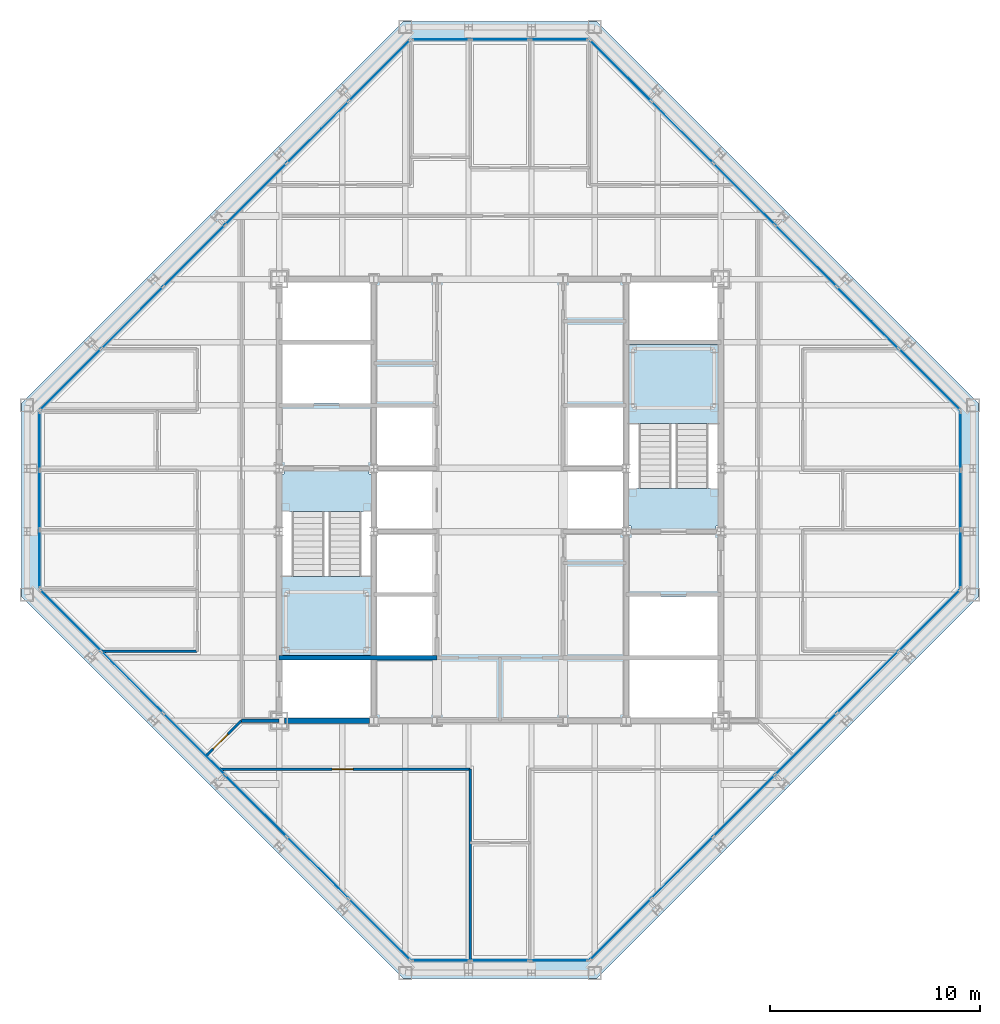
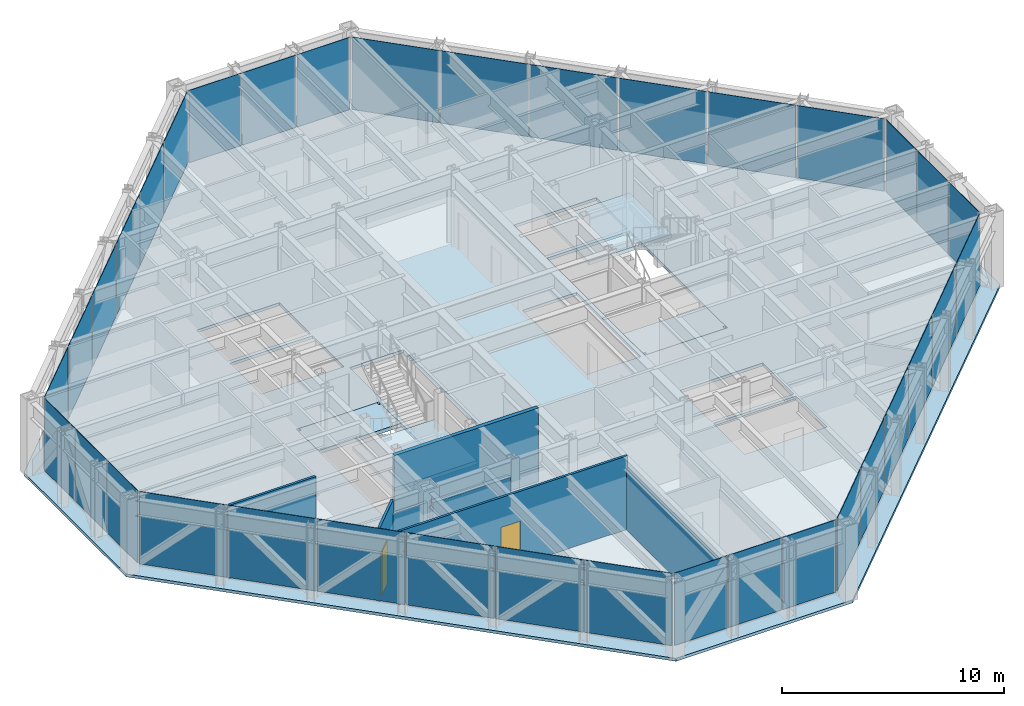
# One storey, part 9 of 15: 36 plates, 7 walls, 5 slabs, 2 doors, 2 openings, 10 elements without a shape of their own.
"""IFC4 building model written with IfcOpenShell, lengths in metres."""

from ifc_helpers import new_model, si_unit, direction, frame, frame_2d, origin, origin_2d, place, context, subcontext, project, spatial, polyline, rectangle, outline, extrude, material, layer, layer_set, type_object, element, fill, aggregate, save


model = new_model("IFC4")

# Units and contexts
model_context = context("Model", 3, precision=1e-05, world=origin(), true_north=direction((0.0, 1.0)))
body_context = subcontext(model_context, "Body", "Model", "MODEL_VIEW")
ifc_project = project(units=[si_unit("LENGTHUNIT", "METRE"), si_unit("AREAUNIT", "SQUARE_METRE"), si_unit("VOLUMEUNIT", "CUBIC_METRE"), si_unit("PLANEANGLEUNIT", "RADIAN"), si_unit("MASSUNIT", "GRAM", prefix="KILO")], contexts=[model_context])

# Site, building, storey
site_placement = place(None, origin())
site = spatial("IfcSite", under=ifc_project, at=site_placement, CompositionType="ELEMENT")
building_placement = place(site_placement, origin())
building = spatial("IfcBuilding", under=site, at=building_placement, Name="Chuquiago Exchange Tower", CompositionType="ELEMENT")
storey_placement = place(building_placement, frame((0.0, 0.0, 283.199951171875)))
storey = spatial("IfcBuildingStorey", under=building, at=storey_placement, Name="L63", CompositionType="ELEMENT", Elevation=283.199951171875)

# Curtain wall, plate
ifc_material_1 = material(Name="Aluminium curtain wall system", Category="aluminium")
ifc_layer_1 = layer(ifc_material_1, 0.22509765625)
ifc_layer_set_1 = layer_set([ifc_layer_1], Name="CW2 office curtain wall")
curtain_wall_type_1 = type_object("IfcCurtainWallType", Name="CW2 office curtain wall", PredefinedType="NOTDEFINED", material=ifc_layer_set_1)
curtain_wall_1_placement = place(storey_placement, origin())
curtain_wall_1 = element("IfcCurtainWall", 1, at=curtain_wall_1_placement, inside=storey, type_object=curtain_wall_type_1, Name="CW2 curtain wall L63", PredefinedType="NOTDEFINED")
ifc_material_2 = material(Name="Glass, insulating unit", Category="glass")
ifc_layer_2 = layer(ifc_material_2, 0.030029296875)
ifc_layer_set_2 = layer_set([ifc_layer_2], Name="CW2-P panel 30")
plate_type_1 = type_object("IfcPlateType", Name="CW2-P panel 30", PredefinedType="CURTAIN_PANEL", material=ifc_layer_set_2)
plate_1_placement = place(storey_placement, frame((25.318115234375, 0.60009765625, 0.06494140625), z_axis=(0.0, 0.0, 1.0), x_axis=(1.0, 0.0, 0.0)))
plate_1 = element("IfcPlate", 2, at=plate_1_placement, type_object=plate_type_1, Name="CW2 panel 3.1", PredefinedType="CURTAIN_PANEL", context=body_context, shape_type="SweptSolid", body=[
    extrude(rectangle(XDim=2.73681640625, YDim=0.030029296875, at=origin_2d()), origin(), (0.0, 0.0, 1.0), 3.97509765625),
])

curtain_wall_2_placement = place(storey_placement, origin())
curtain_wall_2 = element("IfcCurtainWall", 3, at=curtain_wall_2_placement, inside=storey, type_object=curtain_wall_type_1, Name="CW2 curtain wall L63", PredefinedType="NOTDEFINED")
plate_2_placement = place(storey_placement, frame((44.39990234375, 25.318115234375, 0.06494140625), z_axis=(0.0, 0.0, 1.0), x_axis=(0.0, 1.0, 0.0)))
plate_2 = element("IfcPlate", 4, at=plate_2_placement, type_object=plate_type_1, Name="CW2 panel 3.1", PredefinedType="CURTAIN_PANEL", context=body_context, shape_type="SweptSolid", body=[
    extrude(rectangle(XDim=2.73681640625, YDim=0.030029296875, at=origin_2d()), origin(), (0.0, 0.0, 1.0), 3.97509765625),
])

curtain_wall_3_placement = place(storey_placement, origin())
curtain_wall_3 = element("IfcCurtainWall", 5, at=curtain_wall_3_placement, inside=storey, type_object=curtain_wall_type_1, Name="CW2 curtain wall L63", PredefinedType="NOTDEFINED")
plate_3_placement = place(storey_placement, frame((19.681884765625, 44.39990234375, 0.06494140625), z_axis=(0.0, 0.0, 1.0), x_axis=(-1.0, 0.0, 0.0)))
plate_3 = element("IfcPlate", 6, at=plate_3_placement, type_object=plate_type_1, Name="CW2 panel 3.1", PredefinedType="CURTAIN_PANEL", context=body_context, shape_type="SweptSolid", body=[
    extrude(rectangle(XDim=2.73681640625, YDim=0.030029296875, at=origin_2d()), origin(), (0.0, 0.0, 1.0), 3.97509765625),
])

curtain_wall_4_placement = place(storey_placement, origin())
curtain_wall_4 = element("IfcCurtainWall", 7, at=curtain_wall_4_placement, inside=storey, type_object=curtain_wall_type_1, Name="CW2 curtain wall L63", PredefinedType="NOTDEFINED")
plate_4_placement = place(storey_placement, frame((0.60009765625, 19.681884765625, 0.06494140625), z_axis=(0.0, 0.0, 1.0), x_axis=(0.0, -1.0, 0.0)))
plate_4 = element("IfcPlate", 8, at=plate_4_placement, type_object=plate_type_1, Name="CW2 panel 3.1", PredefinedType="CURTAIN_PANEL", context=body_context, shape_type="SweptSolid", body=[
    extrude(rectangle(XDim=2.73681640625, YDim=0.030029296875, at=origin_2d()), origin(), (0.0, 0.0, 1.0), 3.97509765625),
])

# Plate
ifc_material_3 = material(Name="Insulated spandrel panel, pale anodised aluminium", Category="aluminium")
ifc_layer_3 = layer(ifc_material_3, 0.030029296875)
ifc_layer_set_3 = layer_set([ifc_layer_3], Name="CW2-P spandrel panel 30")
plate_type_2 = type_object("IfcPlateType", Name="CW2-P spandrel panel 30", PredefinedType="CURTAIN_PANEL", material=ifc_layer_set_3)
plate_5_placement = place(storey_placement, frame((19.681884765625, 0.60009765625, 0.06494140625), z_axis=(0.0, 0.0, 1.0), x_axis=(1.0, 0.0, 0.0)))
plate_5 = element("IfcPlate", 9, at=plate_5_placement, type_object=plate_type_2, Name="CW2 panel 1.1", PredefinedType="CURTAIN_PANEL", context=body_context, shape_type="SweptSolid", body=[
    extrude(rectangle(XDim=2.73681640625, YDim=0.030029296875, at=origin_2d()), origin(), (0.0, 0.0, 1.0), 3.97509765625),
])

plate_6_placement = place(storey_placement, frame((22.5, 0.60009765625, 0.06494140625), z_axis=(0.0, 0.0, 1.0), x_axis=(1.0, 0.0, 0.0)))
plate_6 = element("IfcPlate", 10, at=plate_6_placement, type_object=plate_type_2, Name="CW2 panel 2.1", PredefinedType="CURTAIN_PANEL", context=body_context, shape_type="SweptSolid", body=[
    extrude(rectangle(XDim=2.769287109375, YDim=0.030029296875, at=origin_2d()), origin(), (0.0, 0.0, 1.0), 3.97509765625),
])

aggregate(curtain_wall_1, [plate_5, plate_6, plate_1])

plate_7_placement = place(storey_placement, frame((44.39990234375, 19.681884765625, 0.06494140625), z_axis=(0.0, 0.0, 1.0), x_axis=(0.0, 1.0, 0.0)))
plate_7 = element("IfcPlate", 11, at=plate_7_placement, type_object=plate_type_2, Name="CW2 panel 1.1", PredefinedType="CURTAIN_PANEL", context=body_context, shape_type="SweptSolid", body=[
    extrude(rectangle(XDim=2.73681640625, YDim=0.030029296875, at=origin_2d()), origin(), (0.0, 0.0, 1.0), 3.97509765625),
])

plate_8_placement = place(storey_placement, frame((44.39990234375, 22.5, 0.06494140625), z_axis=(0.0, 0.0, 1.0), x_axis=(0.0, 1.0, 0.0)))
plate_8 = element("IfcPlate", 12, at=plate_8_placement, type_object=plate_type_2, Name="CW2 panel 2.1", PredefinedType="CURTAIN_PANEL", context=body_context, shape_type="SweptSolid", body=[
    extrude(rectangle(XDim=2.769287109375, YDim=0.030029296875, at=origin_2d()), origin(), (0.0, 0.0, 1.0), 3.97509765625),
])

aggregate(curtain_wall_2, [plate_7, plate_8, plate_2])

plate_9_placement = place(storey_placement, frame((25.318115234375, 44.39990234375, 0.06494140625), z_axis=(0.0, 0.0, 1.0), x_axis=(-1.0, 0.0, 0.0)))
plate_9 = element("IfcPlate", 13, at=plate_9_placement, type_object=plate_type_2, Name="CW2 panel 1.1", PredefinedType="CURTAIN_PANEL", context=body_context, shape_type="SweptSolid", body=[
    extrude(rectangle(XDim=2.73681640625, YDim=0.030029296875, at=origin_2d()), origin(), (0.0, 0.0, 1.0), 3.97509765625),
])

plate_10_placement = place(storey_placement, frame((22.5, 44.39990234375, 0.06494140625), z_axis=(0.0, 0.0, 1.0), x_axis=(-1.0, 0.0, 0.0)))
plate_10 = element("IfcPlate", 14, at=plate_10_placement, type_object=plate_type_2, Name="CW2 panel 2.1", PredefinedType="CURTAIN_PANEL", context=body_context, shape_type="SweptSolid", body=[
    extrude(rectangle(XDim=2.769287109375, YDim=0.030029296875, at=origin_2d()), origin(), (0.0, 0.0, 1.0), 3.97509765625),
])

aggregate(curtain_wall_3, [plate_9, plate_10, plate_3])

plate_11_placement = place(storey_placement, frame((0.60009765625, 25.318115234375, 0.06494140625), z_axis=(0.0, 0.0, 1.0), x_axis=(0.0, -1.0, 0.0)))
plate_11 = element("IfcPlate", 15, at=plate_11_placement, type_object=plate_type_2, Name="CW2 panel 1.1", PredefinedType="CURTAIN_PANEL", context=body_context, shape_type="SweptSolid", body=[
    extrude(rectangle(XDim=2.73681640625, YDim=0.030029296875, at=origin_2d()), origin(), (0.0, 0.0, 1.0), 3.97509765625),
])

plate_12_placement = place(storey_placement, frame((0.60009765625, 22.5, 0.06494140625), z_axis=(0.0, 0.0, 1.0), x_axis=(0.0, -1.0, 0.0)))
plate_12 = element("IfcPlate", 16, at=plate_12_placement, type_object=plate_type_2, Name="CW2 panel 2.1", PredefinedType="CURTAIN_PANEL", context=body_context, shape_type="SweptSolid", body=[
    extrude(rectangle(XDim=2.769287109375, YDim=0.030029296875, at=origin_2d()), origin(), (0.0, 0.0, 1.0), 3.97509765625),
])

aggregate(curtain_wall_4, [plate_11, plate_12, plate_4])

# Curtain wall, plates
ifc_material_4 = material(Name="Aluminium curtain wall system", Category="aluminium")
ifc_layer_4 = layer(ifc_material_4, 0.199951171875)
ifc_layer_set_4 = layer_set([ifc_layer_4], Name="CW3 facet curtain wall")
curtain_wall_type_2 = type_object("IfcCurtainWallType", Name="CW3 facet curtain wall", PredefinedType="NOTDEFINED", material=ifc_layer_set_4)
curtain_wall_5_placement = place(storey_placement, origin())
curtain_wall_5 = element("IfcCurtainWall", 17, at=curtain_wall_5_placement, inside=storey, type_object=curtain_wall_type_2, Name="CW3 curtain wall L63", PredefinedType="NOTDEFINED")
ifc_material_5 = material(Name="Insulated spandrel panel, pale anodised aluminium", Category="aluminium")
ifc_layer_5 = layer(ifc_material_5, 0.030029296875)
ifc_layer_set_5 = layer_set([ifc_layer_5], Name="CW3-P spandrel panel 30")
plate_type_3 = type_object("IfcPlateType", Name="CW3-P spandrel panel 30", PredefinedType="CURTAIN_PANEL", material=ifc_layer_set_5)
plate_13_placement = place(storey_placement, frame((28.233642578125, 2.082275390625, 0.06494140625), z_axis=(0.0, 0.0, 1.0), x_axis=(0.707106781187, 0.707106781187, 0.0)))
plate_13 = element("IfcPlate", 18, at=plate_13_placement, type_object=plate_type_3, Name="CW3 panel 1.1", PredefinedType="CURTAIN_PANEL", context=body_context, shape_type="SweptSolid", body=[
    extrude(rectangle(XDim=4.062255859375, YDim=0.030029296875, at=origin_2d()), origin(), (0.0, 0.0, 1.0), 3.97509765625),
])
plate_14_placement = place(storey_placement, frame((31.16357421875, 5.01220703125, 0.06494140625), z_axis=(0.0, 0.0, 1.0), x_axis=(0.707106781187, 0.707106781187, 0.0)))
plate_14 = element("IfcPlate", 19, at=plate_14_placement, type_object=plate_type_3, Name="CW3 panel 2.1", PredefinedType="CURTAIN_PANEL", context=body_context, shape_type="SweptSolid", body=[
    extrude(rectangle(XDim=4.0947265625, YDim=0.030029296875, at=origin_2d()), origin(), (0.0, 0.0, 1.0), 3.97509765625),
])
plate_15_placement = place(storey_placement, frame((34.10498046875, 7.95361328125, 0.06494140625), z_axis=(0.0, 0.0, 1.0), x_axis=(0.707106781187, 0.707106781187, 0.0)))
plate_15 = element("IfcPlate", 20, at=plate_15_placement, type_object=plate_type_3, Name="CW3 panel 3.1", PredefinedType="CURTAIN_PANEL", context=body_context, shape_type="SweptSolid", body=[
    extrude(rectangle(XDim=4.0947265625, YDim=0.030029296875, at=origin_2d()), origin(), (0.0, 0.0, 1.0), 3.97509765625),
])
plate_16_placement = place(storey_placement, frame((37.04638671875, 10.89501953125, 0.06494140625), z_axis=(0.0, 0.0, 1.0), x_axis=(0.707106781187, 0.707106781187, 0.0)))
plate_16 = element("IfcPlate", 21, at=plate_16_placement, type_object=plate_type_3, Name="CW3 panel 4.1", PredefinedType="CURTAIN_PANEL", context=body_context, shape_type="SweptSolid", body=[
    extrude(rectangle(XDim=4.0947265625, YDim=0.030029296875, at=origin_2d()), origin(), (0.0, 0.0, 1.0), 3.97509765625),
])
plate_17_placement = place(storey_placement, frame((39.98779296875, 13.83642578125, 0.06494140625), z_axis=(0.0, 0.0, 1.0), x_axis=(0.707106781187, 0.707106781187, 0.0)))
plate_17 = element("IfcPlate", 22, at=plate_17_placement, type_object=plate_type_3, Name="CW3 panel 5.1", PredefinedType="CURTAIN_PANEL", context=body_context, shape_type="SweptSolid", body=[
    extrude(rectangle(XDim=4.0947265625, YDim=0.030029296875, at=origin_2d()), origin(), (0.0, 0.0, 1.0), 3.97509765625),
])
plate_18_placement = place(storey_placement, frame((42.917724609375, 16.766357421875, 0.06494140625), z_axis=(0.0, 0.0, 1.0), x_axis=(0.707106781187, 0.707106781187, 0.0)))
plate_18 = element("IfcPlate", 23, at=plate_18_placement, type_object=plate_type_3, Name="CW3 panel 6.1", PredefinedType="CURTAIN_PANEL", context=body_context, shape_type="SweptSolid", body=[
    extrude(rectangle(XDim=4.062255859375, YDim=0.030029296875, at=origin_2d()), origin(), (0.0, 0.0, 1.0), 3.97509765625),
])
aggregate(curtain_wall_5, [plate_13, plate_14, plate_15, plate_16, plate_17, plate_18])

curtain_wall_6_placement = place(storey_placement, origin())
curtain_wall_6 = element("IfcCurtainWall", 24, at=curtain_wall_6_placement, inside=storey, type_object=curtain_wall_type_2, Name="CW3 curtain wall L63", PredefinedType="NOTDEFINED")
plate_19_placement = place(storey_placement, frame((42.917724609375, 28.233642578125, 0.06494140625), z_axis=(0.0, 0.0, 1.0), x_axis=(-0.707106781187, 0.707106781187, 0.0)))
plate_19 = element("IfcPlate", 25, at=plate_19_placement, type_object=plate_type_3, Name="CW3 panel 1.1", PredefinedType="CURTAIN_PANEL", context=body_context, shape_type="SweptSolid", body=[
    extrude(rectangle(XDim=4.062255859375, YDim=0.030029296875, at=origin_2d()), origin(), (0.0, 0.0, 1.0), 3.97509765625),
])
plate_20_placement = place(storey_placement, frame((39.98779296875, 31.16357421875, 0.06494140625), z_axis=(0.0, 0.0, 1.0), x_axis=(-0.707106781187, 0.707106781187, 0.0)))
plate_20 = element("IfcPlate", 26, at=plate_20_placement, type_object=plate_type_3, Name="CW3 panel 2.1", PredefinedType="CURTAIN_PANEL", context=body_context, shape_type="SweptSolid", body=[
    extrude(rectangle(XDim=4.0947265625, YDim=0.030029296875, at=origin_2d()), origin(), (0.0, 0.0, 1.0), 3.97509765625),
])
plate_21_placement = place(storey_placement, frame((37.04638671875, 34.10498046875, 0.06494140625), z_axis=(0.0, 0.0, 1.0), x_axis=(-0.707106781187, 0.707106781187, 0.0)))
plate_21 = element("IfcPlate", 27, at=plate_21_placement, type_object=plate_type_3, Name="CW3 panel 3.1", PredefinedType="CURTAIN_PANEL", context=body_context, shape_type="SweptSolid", body=[
    extrude(rectangle(XDim=4.0947265625, YDim=0.030029296875, at=origin_2d()), origin(), (0.0, 0.0, 1.0), 3.97509765625),
])
plate_22_placement = place(storey_placement, frame((34.10498046875, 37.04638671875, 0.06494140625), z_axis=(0.0, 0.0, 1.0), x_axis=(-0.707106781187, 0.707106781187, 0.0)))
plate_22 = element("IfcPlate", 28, at=plate_22_placement, type_object=plate_type_3, Name="CW3 panel 4.1", PredefinedType="CURTAIN_PANEL", context=body_context, shape_type="SweptSolid", body=[
    extrude(rectangle(XDim=4.0947265625, YDim=0.030029296875, at=origin_2d()), origin(), (0.0, 0.0, 1.0), 3.97509765625),
])
plate_23_placement = place(storey_placement, frame((31.16357421875, 39.98779296875, 0.06494140625), z_axis=(0.0, 0.0, 1.0), x_axis=(-0.707106781187, 0.707106781187, 0.0)))
plate_23 = element("IfcPlate", 29, at=plate_23_placement, type_object=plate_type_3, Name="CW3 panel 5.1", PredefinedType="CURTAIN_PANEL", context=body_context, shape_type="SweptSolid", body=[
    extrude(rectangle(XDim=4.0947265625, YDim=0.030029296875, at=origin_2d()), origin(), (0.0, 0.0, 1.0), 3.97509765625),
])
plate_24_placement = place(storey_placement, frame((28.233642578125, 42.917724609375, 0.06494140625), z_axis=(0.0, 0.0, 1.0), x_axis=(-0.707106781187, 0.707106781187, 0.0)))
plate_24 = element("IfcPlate", 30, at=plate_24_placement, type_object=plate_type_3, Name="CW3 panel 6.1", PredefinedType="CURTAIN_PANEL", context=body_context, shape_type="SweptSolid", body=[
    extrude(rectangle(XDim=4.062255859375, YDim=0.030029296875, at=origin_2d()), origin(), (0.0, 0.0, 1.0), 3.97509765625),
])
aggregate(curtain_wall_6, [plate_19, plate_20, plate_21, plate_22, plate_23, plate_24])

curtain_wall_7_placement = place(storey_placement, origin())
curtain_wall_7 = element("IfcCurtainWall", 31, at=curtain_wall_7_placement, inside=storey, type_object=curtain_wall_type_2, Name="CW3 curtain wall L63", PredefinedType="NOTDEFINED")
plate_25_placement = place(storey_placement, frame((16.766357421875, 42.917724609375, 0.06494140625), z_axis=(0.0, 0.0, 1.0), x_axis=(-0.707106781187, -0.707106781187, 0.0)))
plate_25 = element("IfcPlate", 32, at=plate_25_placement, type_object=plate_type_3, Name="CW3 panel 1.1", PredefinedType="CURTAIN_PANEL", context=body_context, shape_type="SweptSolid", body=[
    extrude(rectangle(XDim=4.062255859375, YDim=0.030029296875, at=origin_2d()), origin(), (0.0, 0.0, 1.0), 3.97509765625),
])
plate_26_placement = place(storey_placement, frame((13.83642578125, 39.98779296875, 0.06494140625), z_axis=(0.0, 0.0, 1.0), x_axis=(-0.707106781187, -0.707106781187, 0.0)))
plate_26 = element("IfcPlate", 33, at=plate_26_placement, type_object=plate_type_3, Name="CW3 panel 2.1", PredefinedType="CURTAIN_PANEL", context=body_context, shape_type="SweptSolid", body=[
    extrude(rectangle(XDim=4.0947265625, YDim=0.030029296875, at=origin_2d()), origin(), (0.0, 0.0, 1.0), 3.97509765625),
])
plate_27_placement = place(storey_placement, frame((10.89501953125, 37.04638671875, 0.06494140625), z_axis=(0.0, 0.0, 1.0), x_axis=(-0.707106781187, -0.707106781187, 0.0)))
plate_27 = element("IfcPlate", 34, at=plate_27_placement, type_object=plate_type_3, Name="CW3 panel 3.1", PredefinedType="CURTAIN_PANEL", context=body_context, shape_type="SweptSolid", body=[
    extrude(rectangle(XDim=4.0947265625, YDim=0.030029296875, at=origin_2d()), origin(), (0.0, 0.0, 1.0), 3.97509765625),
])
plate_28_placement = place(storey_placement, frame((7.95361328125, 34.10498046875, 0.06494140625), z_axis=(0.0, 0.0, 1.0), x_axis=(-0.707106781187, -0.707106781187, 0.0)))
plate_28 = element("IfcPlate", 35, at=plate_28_placement, type_object=plate_type_3, Name="CW3 panel 4.1", PredefinedType="CURTAIN_PANEL", context=body_context, shape_type="SweptSolid", body=[
    extrude(rectangle(XDim=4.0947265625, YDim=0.030029296875, at=origin_2d()), origin(), (0.0, 0.0, 1.0), 3.97509765625),
])
plate_29_placement = place(storey_placement, frame((5.01220703125, 31.16357421875, 0.06494140625), z_axis=(0.0, 0.0, 1.0), x_axis=(-0.707106781187, -0.707106781187, 0.0)))
plate_29 = element("IfcPlate", 36, at=plate_29_placement, type_object=plate_type_3, Name="CW3 panel 5.1", PredefinedType="CURTAIN_PANEL", context=body_context, shape_type="SweptSolid", body=[
    extrude(rectangle(XDim=4.0947265625, YDim=0.030029296875, at=origin_2d()), origin(), (0.0, 0.0, 1.0), 3.97509765625),
])
plate_30_placement = place(storey_placement, frame((2.082275390625, 28.233642578125, 0.06494140625), z_axis=(0.0, 0.0, 1.0), x_axis=(-0.707106781187, -0.707106781187, 0.0)))
plate_30 = element("IfcPlate", 37, at=plate_30_placement, type_object=plate_type_3, Name="CW3 panel 6.1", PredefinedType="CURTAIN_PANEL", context=body_context, shape_type="SweptSolid", body=[
    extrude(rectangle(XDim=4.062255859375, YDim=0.030029296875, at=origin_2d()), origin(), (0.0, 0.0, 1.0), 3.97509765625),
])
aggregate(curtain_wall_7, [plate_25, plate_26, plate_27, plate_28, plate_29, plate_30])

curtain_wall_8_placement = place(storey_placement, origin())
curtain_wall_8 = element("IfcCurtainWall", 38, at=curtain_wall_8_placement, inside=storey, type_object=curtain_wall_type_2, Name="CW3 curtain wall L63", PredefinedType="NOTDEFINED")
plate_31_placement = place(storey_placement, frame((2.082275390625, 16.766357421875, 0.06494140625), z_axis=(0.0, 0.0, 1.0), x_axis=(0.707106781187, -0.707106781187, 0.0)))
plate_31 = element("IfcPlate", 39, at=plate_31_placement, type_object=plate_type_3, Name="CW3 panel 1.1", PredefinedType="CURTAIN_PANEL", context=body_context, shape_type="SweptSolid", body=[
    extrude(rectangle(XDim=4.062255859375, YDim=0.030029296875, at=origin_2d()), origin(), (0.0, 0.0, 1.0), 3.97509765625),
])
plate_32_placement = place(storey_placement, frame((5.01220703125, 13.83642578125, 0.06494140625), z_axis=(0.0, 0.0, 1.0), x_axis=(0.707106781187, -0.707106781187, 0.0)))
plate_32 = element("IfcPlate", 40, at=plate_32_placement, type_object=plate_type_3, Name="CW3 panel 2.1", PredefinedType="CURTAIN_PANEL", context=body_context, shape_type="SweptSolid", body=[
    extrude(rectangle(XDim=4.0947265625, YDim=0.030029296875, at=origin_2d()), origin(), (0.0, 0.0, 1.0), 3.97509765625),
])
plate_33_placement = place(storey_placement, frame((7.95361328125, 10.89501953125, 0.06494140625), z_axis=(0.0, 0.0, 1.0), x_axis=(0.707106781187, -0.707106781187, 0.0)))
plate_33 = element("IfcPlate", 41, at=plate_33_placement, type_object=plate_type_3, Name="CW3 panel 3.1", PredefinedType="CURTAIN_PANEL", context=body_context, shape_type="SweptSolid", body=[
    extrude(rectangle(XDim=4.0947265625, YDim=0.030029296875, at=origin_2d()), origin(), (0.0, 0.0, 1.0), 3.97509765625),
])
plate_34_placement = place(storey_placement, frame((10.89501953125, 7.95361328125, 0.06494140625), z_axis=(0.0, 0.0, 1.0), x_axis=(0.707106781187, -0.707106781187, 0.0)))
plate_34 = element("IfcPlate", 42, at=plate_34_placement, type_object=plate_type_3, Name="CW3 panel 4.1", PredefinedType="CURTAIN_PANEL", context=body_context, shape_type="SweptSolid", body=[
    extrude(rectangle(XDim=4.0947265625, YDim=0.030029296875, at=origin_2d()), origin(), (0.0, 0.0, 1.0), 3.97509765625),
])
plate_35_placement = place(storey_placement, frame((13.83642578125, 5.01220703125, 0.06494140625), z_axis=(0.0, 0.0, 1.0), x_axis=(0.707106781187, -0.707106781187, 0.0)))
plate_35 = element("IfcPlate", 43, at=plate_35_placement, type_object=plate_type_3, Name="CW3 panel 5.1", PredefinedType="CURTAIN_PANEL", context=body_context, shape_type="SweptSolid", body=[
    extrude(rectangle(XDim=4.0947265625, YDim=0.030029296875, at=origin_2d()), origin(), (0.0, 0.0, 1.0), 3.97509765625),
])
plate_36_placement = place(storey_placement, frame((16.766357421875, 2.082275390625, 0.06494140625), z_axis=(0.0, 0.0, 1.0), x_axis=(0.707106781187, -0.707106781187, 0.0)))
plate_36 = element("IfcPlate", 44, at=plate_36_placement, type_object=plate_type_3, Name="CW3 panel 6.1", PredefinedType="CURTAIN_PANEL", context=body_context, shape_type="SweptSolid", body=[
    extrude(rectangle(XDim=4.062255859375, YDim=0.030029296875, at=origin_2d()), origin(), (0.0, 0.0, 1.0), 3.97509765625),
])
aggregate(curtain_wall_8, [plate_31, plate_32, plate_33, plate_34, plate_35, plate_36])

# Slab
ifc_material_6 = material(Name="Concrete C30/37", Category="concrete")
ifc_layer_6 = layer(ifc_material_6, 0.159912109375)
ifc_layer_set_6 = layer_set([ifc_layer_6], Name="FS1 composite floor 160")
slab_type_1 = type_object("IfcSlabType", Name="FS1 composite floor 160", PredefinedType="FLOOR", material=ifc_layer_set_6)
slab_1_placement = place(storey_placement, frame((0.0, 0.0, -0.159912109375)))
element("IfcSlab", 45, at=slab_1_placement, inside=storey, type_object=slab_type_1, Name="L63 floor slab", PredefinedType="FLOOR", context=body_context, shape_type="SweptSolid", body=[
    extrude(outline(polyline([(17.896484375, -0.25), (-0.25, 17.896484375), (-0.25, 27.103515625), (17.896484375, 45.25), (27.103515625, 45.25), (45.25, 27.103515625), (45.25, 17.896484375), (27.103515625, -0.25), (17.896484375, -0.25)]), holes=[polyline([(16.39990234375, 15.10009765625), (12.10009765625, 15.10009765625), (12.10009765625, 23.89990234375), (16.39990234375, 23.89990234375), (16.39990234375, 15.10009765625)]), polyline([(32.89990234375, 21.10009765625), (28.60009765625, 21.10009765625), (28.60009765625, 29.89990234375), (32.89990234375, 29.89990234375), (32.89990234375, 21.10009765625)]), polyline([(16.39990234375, 12.10009765625), (12.10009765625, 12.10009765625), (12.10009765625, 14.89990234375), (16.39990234375, 14.89990234375), (16.39990234375, 12.10009765625)]), polyline([(16.39990234375, 30.10009765625), (12.10009765625, 30.10009765625), (12.10009765625, 32.89990234375), (16.39990234375, 32.89990234375), (16.39990234375, 30.10009765625)]), polyline([(32.89990234375, 12.10009765625), (28.60009765625, 12.10009765625), (28.60009765625, 14.89990234375), (32.89990234375, 14.89990234375), (32.89990234375, 12.10009765625)]), polyline([(32.89990234375, 30.10009765625), (28.60009765625, 30.10009765625), (28.60009765625, 32.89990234375), (32.89990234375, 32.89990234375), (32.89990234375, 30.10009765625)]), polyline([(16.39990234375, 27.10009765625), (12.10009765625, 27.10009765625), (12.10009765625, 29.89990234375), (16.39990234375, 29.89990234375), (16.39990234375, 27.10009765625)]), polyline([(32.89990234375, 15.10009765625), (28.60009765625, 15.10009765625), (28.60009765625, 17.89990234375), (32.89990234375, 17.89990234375), (32.89990234375, 15.10009765625)]), polyline([(19.39990234375, 15.10009765625), (16.60009765625, 15.10009765625), (16.60009765625, 26.89990234375), (19.39990234375, 26.89990234375), (19.39990234375, 15.10009765625)]), polyline([(28.39990234375, 21.10009765625), (25.60009765625, 21.10009765625), (25.60009765625, 26.89990234375), (28.39990234375, 26.89990234375), (28.39990234375, 21.10009765625)])]), origin(), (0.0, 0.0, 1.0), 0.159912109375),
])

# Stair, slabs
ifc_material_7 = material(Name="Concrete C30/37, precast", Category="concrete")
stair_type_1 = type_object("IfcStairType", Name="ST1 half-turn stair 4200", PredefinedType="HALF_TURN_STAIR", material=ifc_material_7)
stair_1_placement = place(storey_placement, origin())
stair_1 = element("IfcStair", 46, at=stair_1_placement, inside=storey, type_object=stair_type_1, Name="Stair ST1 L63", PredefinedType="HALF_TURN_STAIR")
ifc_material_8 = material(Name="Concrete C30/37, precast", Category="concrete")
ifc_layer_7 = layer(ifc_material_8, 0.199951171875)
ifc_layer_set_7 = layer_set([ifc_layer_7], Name="ST-L landing 200")
slab_type_2 = type_object("IfcSlabType", Name="ST-L landing 200", PredefinedType="LANDING", material=ifc_layer_set_7)
slab_2_placement = place(storey_placement, frame((0.0, 0.0, -0.199951171875)))
slab_2 = element("IfcSlab", 47, at=slab_2_placement, type_object=slab_type_2, Name="ST1 landing 1", PredefinedType="LANDING", context=body_context, shape_type="SweptSolid", body=[
    extrude(outline(polyline([(12.224853515625, 23.89990234375), (16.275146484375, 23.89990234375), (16.275146484375, 23.7255859375), (16.39990234375, 23.7255859375), (16.39990234375, 21.949951171875), (12.10009765625, 21.949951171875), (12.10009765625, 23.7255859375), (12.224853515625, 23.7255859375), (12.224853515625, 23.89990234375)])), origin(), (0.0, 0.0, 1.0), 0.199951171875),
])
slab_3_placement = place(storey_placement, frame((0.0, 0.0, 1.900146484375)))
slab_3 = element("IfcSlab", 48, at=slab_3_placement, type_object=slab_type_2, Name="ST1 landing 2", PredefinedType="LANDING", context=body_context, shape_type="SweptSolid", body=[
    extrude(outline(polyline([(12.10009765625, 18.8701171875), (16.39990234375, 18.8701171875), (16.39990234375, 15.10009765625), (12.10009765625, 15.10009765625), (12.10009765625, 18.8701171875)])), origin(), (0.0, 0.0, 1.0), 0.199951171875),
])
aggregate(stair_1, [slab_2, slab_3])

ifc_material_9 = material(Name="Concrete C30/37, precast", Category="concrete")
stair_type_2 = type_object("IfcStairType", Name="ST2 half-turn stair 4200", PredefinedType="HALF_TURN_STAIR", material=ifc_material_9)
stair_2_placement = place(storey_placement, origin())
stair_2 = element("IfcStair", 49, at=stair_2_placement, inside=storey, type_object=stair_type_2, Name="Stair ST2 L63", PredefinedType="HALF_TURN_STAIR")
slab_4_placement = place(storey_placement, frame((0.0, 0.0, -0.199951171875)))
slab_4 = element("IfcSlab", 50, at=slab_4_placement, type_object=slab_type_2, Name="ST2 landing 1", PredefinedType="LANDING", context=body_context, shape_type="SweptSolid", body=[
    extrude(outline(polyline([(32.775146484375, 21.2744140625), (32.775146484375, 21.10009765625), (28.724853515625, 21.10009765625), (28.724853515625, 21.2744140625), (28.60009765625, 21.2744140625), (28.60009765625, 23.050048828125), (32.89990234375, 23.050048828125), (32.89990234375, 21.2744140625), (32.775146484375, 21.2744140625)])), origin(), (0.0, 0.0, 1.0), 0.199951171875),
])
slab_5_placement = place(storey_placement, frame((0.0, 0.0, 1.900146484375)))
slab_5 = element("IfcSlab", 51, at=slab_5_placement, type_object=slab_type_2, Name="ST2 landing 2", PredefinedType="LANDING", context=body_context, shape_type="SweptSolid", body=[
    extrude(outline(polyline([(28.60009765625, 29.89990234375), (32.89990234375, 29.89990234375), (32.89990234375, 26.1298828125), (28.60009765625, 26.1298828125), (28.60009765625, 29.89990234375)])), origin(), (0.0, 0.0, 1.0), 0.199951171875),
])
aggregate(stair_2, [slab_4, slab_5])

# Walls
ifc_material_10 = material(Name="Concrete masonry, fully grouted", Category="masonry")
ifc_layer_8 = layer(ifc_material_10, 0.25)
ifc_layer_set_8 = layer_set([ifc_layer_8], Name="W1 core wall 250")
wall_type_1 = type_object("IfcWallType", Name="W1 core wall 250", PredefinedType="SOLIDWALL", material=ifc_layer_set_8)
wall_1_placement = place(storey_placement, frame((12.25, 12.0, 0.0), z_axis=(0.0, 0.0, 1.0), x_axis=(1.0, 0.0, 0.0)))
element("IfcWall", 52, at=wall_1_placement, inside=storey, type_object=wall_type_1, Name="CW-L63-01-0", PredefinedType="SOLIDWALL", context=body_context, shape_type="SweptSolid", body=[
    extrude(rectangle(XDim=4.041748046875, YDim=0.25, at=frame_2d((2.02099609375, 0.0))), origin(), (0.0, 0.0, 1.0), 3.181640625),
])
ifc_material_11 = material(Name="Gypsum board on steel studs, acoustic insulation", Category="steel")
ifc_layer_9 = layer(ifc_material_11, 0.14990234375)
ifc_layer_set_9 = layer_set([ifc_layer_9], Name="W11 corridor wall 150")
wall_type_2 = type_object("IfcWallType", Name="W11 corridor wall 150", PredefinedType="PARTITIONING", material=ifc_layer_set_9)
wall_2_placement = place(storey_placement, frame((10.199951171875, 12.0, 0.0), z_axis=(0.0, 0.0, 1.0), x_axis=(1.0, 0.0, 0.0)))
element("IfcWall", 53, at=wall_2_placement, inside=storey, type_object=wall_type_2, Name="PW-L63-GWS0", PredefinedType="PARTITIONING", context=body_context, shape_type="SweptSolid", body=[
    extrude(rectangle(XDim=1.800048828125, YDim=0.14990234375, at=frame_2d((0.89990234375, 0.0))), origin(), (0.0, 0.0, 1.0), 3.2705078125),
])
ifc_material_12 = material(Name="Concrete masonry, fully grouted", Category="masonry")
ifc_layer_10 = layer(ifc_material_12, 0.199951171875)
ifc_layer_set_10 = layer_set([ifc_layer_10], Name="W2 shaft wall 200")
wall_type_3 = type_object("IfcWallType", Name="W2 shaft wall 200", PredefinedType="SOLIDWALL", material=ifc_layer_set_10)
wall_3_placement = place(storey_placement, frame((12.0, 15.0, 0.0), z_axis=(0.0, 0.0, 1.0), x_axis=(1.0, 0.0, 0.0)))
element("IfcWall", 54, at=wall_3_placement, inside=storey, type_object=wall_type_3, Name="CW-L63-03-0", PredefinedType="SOLIDWALL", context=body_context, shape_type="SweptSolid", body=[
    extrude(rectangle(XDim=7.5, YDim=0.199951171875, at=frame_2d((3.75, 0.0))), origin(), (0.0, 0.0, 1.0), 4.0400390625),
])
ifc_material_13 = material(Name="Gypsum board on steel studs", Category="steel")
ifc_layer_11 = layer(ifc_material_13, 0.1201171875)
ifc_layer_set_11 = layer_set([ifc_layer_11], Name="W4 partition 120")
wall_type_4 = type_object("IfcWallType", Name="W4 partition 120", PredefinedType="PARTITIONING", material=ifc_layer_set_11)
wall_4_placement = place(storey_placement, frame((21.082763671875, 0.652587890625, 0.0), z_axis=(0.0, 0.0, 1.0), x_axis=(0.0, 1.0, 0.0)))
element("IfcWall", 55, at=wall_4_placement, inside=storey, type_object=wall_type_4, Name="PW-L63-S02108", PredefinedType="PARTITIONING", context=body_context, shape_type="SweptSolid", body=[
    extrude(rectangle(XDim=9.04736328125, YDim=0.1201171875, at=frame_2d((4.523681640625, 0.0))), origin(), (0.0, 0.0, 1.0), 3.35693359375),
])

# Wall, opening, door
wall_5_placement = place(storey_placement, frame((9.185546875, 9.699951171875, 0.0), z_axis=(0.0, 0.0, 1.0), x_axis=(1.0, 0.0, 0.0)))
wall_5 = element("IfcWall", 56, at=wall_5_placement, inside=storey, type_object=wall_type_4, Name="PW-L63-SF00942", PredefinedType="PARTITIONING", context=body_context, shape_type="SweptSolid", body=[
    extrude(rectangle(XDim=11.897216796875, YDim=0.1201171875, at=frame_2d((5.94873046875, 0.0))), origin(), (0.0, 0.0, 1.0), 4.0400390625),
])
opening_1_placement = place(wall_5_placement, frame((5.3291015625, 0.0, 0.0)))
opening_1 = element("IfcOpeningElement", 57, at=opening_1_placement, cuts=wall_5, Name="Opening L63-023", PredefinedType="OPENING", context=body_context, shape_type="SweptSolid", body=[
    extrude(rectangle(XDim=1.0, YDim=2.39990234375, at=frame_2d((0.5, 1.199951171875))), frame((0.0, 0.070068359375, 0.0), z_axis=(0.0, -1.0, 0.0), x_axis=(1.0, 0.0, 0.0)), (0.0, 0.0, 1.0), 0.14013671875),
])
ifc_material_14 = material(Name="Timber frame door, full height glazed panel", Category="wood")
door_type_1 = type_object("IfcDoorType", Name="D14 glazed meeting room door 1000x2400", OperationType="SINGLE_SWING_LEFT", PredefinedType="DOOR", material=ifc_material_14)
door_1_placement = place(opening_1_placement, frame((1.0, 0.0, 0.0), z_axis=(0.0, 0.0, 1.0), x_axis=(-1.0, 0.0, 0.0)))
door_1 = element("IfcDoor", 58, at=door_1_placement, inside=storey, type_object=door_type_1, Name="Conference room door", OperationType="SINGLE_SWING_RIGHT", OverallHeight=2.39990234375, OverallWidth=1.0, PredefinedType="DOOR", context=body_context, shape_type="SweptSolid", body=[
    extrude(rectangle(XDim=1.0, YDim=2.39990234375, at=frame_2d((0.5, 1.199951171875))), frame((0.0, 0.02490234375, 0.0), z_axis=(0.0, -1.0, 0.0), x_axis=(1.0, 0.0, 0.0)), (0.0, 0.0, 1.0), 0.050048828125),
])
fill(opening_1, door_1)

# Wall
wall_6_placement = place(storey_placement, frame((3.607421875, 15.30712890625, 0.0), z_axis=(0.0, 0.0, 1.0), x_axis=(1.0, 0.0, 0.0)))
element("IfcWall", 59, at=wall_6_placement, inside=storey, type_object=wall_type_4, Name="PW-L63-W01531", PredefinedType="PARTITIONING", context=body_context, shape_type="SweptSolid", body=[
    extrude(rectangle(XDim=4.49267578125, YDim=0.1201171875, at=frame_2d((2.246337890625, 0.0))), origin(), (0.0, 0.0, 1.0), 4.0400390625),
])

# Wall, opening, door
wall_7_placement = place(storey_placement, frame((10.199951171875, 12.0, 0.0), z_axis=(0.0, 0.0, 1.0), x_axis=(-0.707106781187, -0.707106781187, 0.0)))
wall_7 = element("IfcWall", 60, at=wall_7_placement, inside=storey, type_object=wall_type_4, Name="PW-L63-QSW", PredefinedType="PARTITIONING", context=body_context, shape_type="SweptSolid", body=[
    extrude(rectangle(XDim=2.337890625, YDim=0.1201171875, at=frame_2d((1.1689453125, 0.0))), origin(), (0.0, 0.0, 1.0), 4.0400390625),
])
opening_2_placement = place(wall_7_placement, frame((0.89990234375, 0.0, 0.0)))
opening_2 = element("IfcOpeningElement", 61, at=opening_2_placement, cuts=wall_7, Name="Opening L63-042", PredefinedType="OPENING", context=body_context, shape_type="SweptSolid", body=[
    extrude(rectangle(XDim=1.0, YDim=2.39990234375, at=frame_2d((0.5, 1.199951171875))), frame((0.0, 0.070068359375, 0.0), z_axis=(0.0, -1.0, 0.0), x_axis=(1.0, 0.0, 0.0)), (0.0, 0.0, 1.0), 0.14013671875),
])
ifc_material_15 = material(Name="Timber door, laminate faced", Category="wood")
door_type_2 = type_object("IfcDoorType", Name="D9 room door 1000x2400", OperationType="SINGLE_SWING_LEFT", PredefinedType="DOOR", material=ifc_material_15)
door_2_placement = place(opening_2_placement, origin())
door_2 = element("IfcDoor", 62, at=door_2_placement, inside=storey, type_object=door_type_2, Name="Team area door", OperationType="SINGLE_SWING_RIGHT", OverallHeight=2.39990234375, OverallWidth=1.0, PredefinedType="DOOR", context=body_context, shape_type="SweptSolid", body=[
    extrude(rectangle(XDim=1.0, YDim=2.39990234375, at=frame_2d((0.5, 1.199951171875))), frame((0.0, 0.02490234375, 0.0), z_axis=(0.0, -1.0, 0.0), x_axis=(1.0, 0.0, 0.0)), (0.0, 0.0, 1.0), 0.050048828125),
])
fill(opening_2, door_2)

save(model, "model.ifc")
